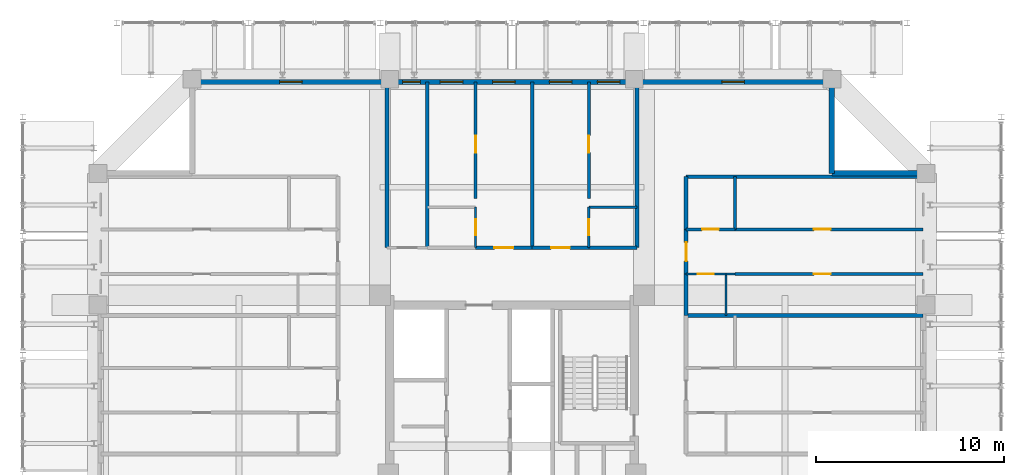
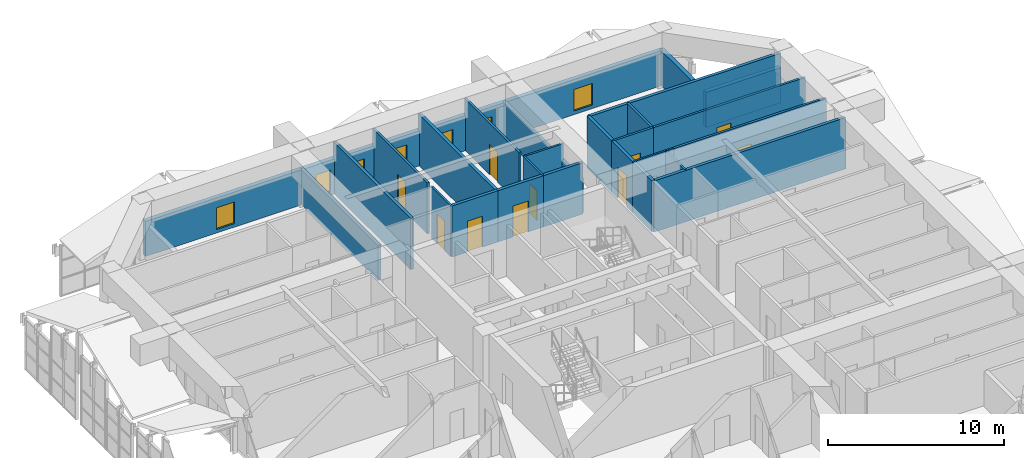
# One storey, part 42 of 45: 27 walls, 11 doors, 7 windows, 18 openings.
"""IFC4 building model written with IfcOpenShell, lengths in metres."""

import ifcopenshell
import ifcopenshell.guid

model = None  # the IFC model being written
_history = None  # IfcOwnerHistory: only IFC2X3 demands one
_inside = {}  # id of a spatial element -> (the spatial element, [elements in it])
_under = {}  # id of a project, library or spatial element -> (it, [spatial elements below it])
_declared = {}  # id of a project -> (the project, [libraries it declares])
_typed = {}  # id of a type object -> (the type object, [elements of that type])
_made_of = {}  # id of a material, layer set ... -> (it, [elements and type objects made of it])


def new_model(schema):
    """Start an empty IFC model of exactly this schema.

    Asked for "IFC4X3", IfcOpenShell would pick the latest addendum, in which some entities
    have other attributes; the version numbers below select the first issue.
    IFC2X3 requires an IfcOwnerHistory on every rooted entity: one is made here for all.
    """
    global model, _history
    if schema == "IFC4X3":
        model = ifcopenshell.file(schema_version=(4, 3, 0, 0))
    else:
        model = ifcopenshell.file(schema=schema)
    _inside.clear()
    _under.clear()
    _declared.clear()
    _typed.clear()
    _made_of.clear()
    _history = None
    if model.schema == "IFC2X3":
        org = make("IfcOrganization", Name="unknown")
        user = make(
            "IfcPersonAndOrganization",
            ThePerson=make("IfcPerson", FamilyName="unknown"),
            TheOrganization=org,
        )
        app = make(
            "IfcApplication",
            ApplicationDeveloper=org,
            Version="unknown",
            ApplicationFullName="unknown",
            ApplicationIdentifier="unknown",
        )
        _history = make(
            "IfcOwnerHistory",
            OwningUser=user,
            OwningApplication=app,
            ChangeAction="ADDED",
            CreationDate=0,
        )
    return model


def make(cls, **values):
    """One entity of the class cls with the attributes given. An attribute that is None is left unset."""
    return model.create_entity(
        cls, **{name: value for name, value in values.items() if value is not None}
    )


def rooted(cls, **values):
    """An entity with a GlobalId (a new one), such as an element, a storey or a relation."""
    return make(cls, GlobalId=ifcopenshell.guid.new(), OwnerHistory=_history, **values)


def si_unit(unit_type, name, prefix=None):
    """IfcSIUnit, for example si_unit("LENGTHUNIT", "METRE", prefix="MILLI")."""
    return make("IfcSIUnit", UnitType=unit_type, Prefix=prefix, Name=name)


def assignment(units):
    """IfcUnitAssignment: the units of a project."""
    return None if units is None else make("IfcUnitAssignment", Units=units)


def point(xyz):
    """IfcCartesianPoint."""
    return None if xyz is None else make("IfcCartesianPoint", Coordinates=xyz)


def direction(xyz):
    """IfcDirection."""
    return None if xyz is None else make("IfcDirection", DirectionRatios=xyz)


def frame(location, z_axis=None, x_axis=None):
    """IfcAxis2Placement3D, a coordinate frame: its origin and axes. An axis left out is left unset."""
    return make(
        "IfcAxis2Placement3D",
        Location=point(location),
        Axis=direction(z_axis),
        RefDirection=direction(x_axis),
    )


def frame_2d(location, x_axis=None):
    """IfcAxis2Placement2D, a coordinate frame in the plane: its origin and x axis."""
    return make(
        "IfcAxis2Placement2D", Location=point(location), RefDirection=direction(x_axis)
    )


def origin():
    """The frame at (0, 0, 0) with its axes left unset."""
    return frame((0.0, 0.0, 0.0))


def place(relative_to, where):
    """IfcLocalPlacement: puts the frame where relative to a parent placement (None: the world)."""
    return make(
        "IfcLocalPlacement", PlacementRelTo=relative_to, RelativePlacement=where
    )


def context(
    kind, dimensions, precision=None, world=None, true_north=None, identifier=None
):
    """IfcGeometricRepresentationContext, for example the 3D "Model" context."""
    return make(
        "IfcGeometricRepresentationContext",
        ContextIdentifier=identifier,
        ContextType=kind,
        CoordinateSpaceDimension=dimensions,
        Precision=precision,
        WorldCoordinateSystem=world,
        TrueNorth=true_north,
    )


def subcontext(parent, identifier, kind, view, scale=None):
    """IfcGeometricRepresentationSubContext, for example "Body" below "Model"."""
    return make(
        "IfcGeometricRepresentationSubContext",
        ContextIdentifier=identifier,
        ContextType=kind,
        ParentContext=parent,
        TargetScale=scale,
        TargetView=view,
    )


def project(units=None, contexts=None):
    """IfcProject with its units and contexts."""
    return rooted(
        "IfcProject",
        Name="project",
        RepresentationContexts=contexts,
        UnitsInContext=assignment(units),
    )


def spatial(cls, under=None, at=None, **own):
    """A site, building, storey or space (cls), placed at a placement, below another one or the project."""
    s = rooted(cls, ObjectPlacement=at, **own)
    if under is not None:
        _under.setdefault(under.id(), (under, []))[1].append(s)
    return s


def profile(cls, at=None, kind="AREA", **sizes):
    """A parametric profile (cls). Its sizes go by their IFC names, for example OverallWidth=200.0."""
    return make(cls, ProfileType=kind, Position=at, **sizes)


def rectangle(**sizes):
    """IfcRectangleProfileDef."""
    return profile("IfcRectangleProfileDef", **sizes)


def extrude(swept, where, along, depth):
    """IfcExtrudedAreaSolid: the profile swept, set in the frame where, extruded along a direction by depth."""
    return make(
        "IfcExtrudedAreaSolid",
        SweptArea=swept,
        Position=where,
        ExtrudedDirection=direction(along),
        Depth=depth,
    )


def shape(context_of_items, identifier, shape_type, items):
    """IfcShapeRepresentation: the items that make up one representation, for example the "Body"."""
    return make(
        "IfcShapeRepresentation",
        ContextOfItems=context_of_items,
        RepresentationIdentifier=identifier,
        RepresentationType=shape_type,
        Items=items,
    )


def source(mapping_origin, context_of_items, identifier, shape_type, items):
    """IfcRepresentationMap: a shape defined once, which mapped items show again and again."""
    return make(
        "IfcRepresentationMap",
        MappingOrigin=mapping_origin,
        MappedRepresentation=shape(context_of_items, identifier, shape_type, items),
    )


def transform(
    local_origin,
    x_axis=None,
    y_axis=None,
    z_axis=None,
    scale=None,
    scale2=None,
    scale3=None,
    uniform=True,
):
    """IfcCartesianTransformationOperator3D, or its non-uniform kind. x_axis, y_axis, z_axis: its Axis1, 2, 3."""
    if uniform:
        return make(
            "IfcCartesianTransformationOperator3D",
            Axis1=direction(x_axis),
            Axis2=direction(y_axis),
            LocalOrigin=point(local_origin),
            Scale=scale,
            Axis3=direction(z_axis),
        )
    return make(
        "IfcCartesianTransformationOperator3DnonUniform",
        Axis1=direction(x_axis),
        Axis2=direction(y_axis),
        LocalOrigin=point(local_origin),
        Scale=scale,
        Axis3=direction(z_axis),
        Scale2=scale2,
        Scale3=scale3,
    )


def mapped(mapping_source, mapping_target):
    """IfcMappedItem: shows the shape of a source again, moved by a transform."""
    return make(
        "IfcMappedItem", MappingSource=mapping_source, MappingTarget=mapping_target
    )


def material(Name=None, Category=None):
    """IfcMaterial."""
    return make("IfcMaterial", Name=Name, Category=Category)


def layer(
    of_material, thickness, ventilated=None, Name=None, Category=None, Priority=None
):
    """IfcMaterialLayer: one layer of a wall or slab, of a material (None: an air gap)."""
    return make(
        "IfcMaterialLayer",
        Material=of_material,
        LayerThickness=thickness,
        IsVentilated=ventilated,
        Name=Name,
        Category=Category,
        Priority=Priority,
    )


def layer_set(layers, Name=None):
    """IfcMaterialLayerSet."""
    return make("IfcMaterialLayerSet", MaterialLayers=layers, LayerSetName=Name)


def made_of(thing, what):
    """Note that an element or type object is made of a material, layer set ...; save() writes the relation."""
    if what is not None:
        _made_of.setdefault(what.id(), (what, []))[1].append(thing)
    return thing


def type_object(cls, material=None, **own):
    """A type object (cls), such as IfcWallType, which elements share."""
    return made_of(rooted(cls, **own), material)


def element(
    cls,
    number,
    at=None,
    inside=None,
    cuts=None,
    type_object=None,
    material=None,
    context=None,
    identifier="Body",
    shape_type=None,
    held_by="IfcProductDefinitionShape",
    body=None,
    shapes=None,
    **own,
):
    """One element of the class cls, such as IfcWall. Its Tag is "e" and its number.

    at: its placement. inside: the storey or other place that contains it. cuts: it is an
    opening in that element (IfcRelVoidsElement). A single representation is given by context,
    identifier, shape_type and body (its items); several are given by shapes. held_by: the class
    of the entity that holds the representations. save() writes the other relations.
    """
    e = rooted(cls, Tag="e%d" % number, ObjectPlacement=at, **own)
    if body is not None:
        shapes = [shape(context, identifier, shape_type, body)]
    if shapes is not None:
        e.Representation = make(held_by, Representations=shapes)
    if inside is not None:
        _inside.setdefault(inside.id(), (inside, []))[1].append(e)
    if cuts is not None:
        rooted(
            "IfcRelVoidsElement", RelatingBuildingElement=cuts, RelatedOpeningElement=e
        )
    if type_object is not None:
        _typed.setdefault(type_object.id(), (type_object, []))[1].append(e)
    return made_of(e, material)


def fill(opening, filler):
    """IfcRelFillsElement: the door or window that sits in an opening."""
    return rooted(
        "IfcRelFillsElement",
        RelatingOpeningElement=opening,
        RelatedBuildingElement=filler,
    )


def aggregate(whole, parts):
    """IfcRelAggregates: a whole, such as a stair, and the parts it consists of."""
    return rooted("IfcRelAggregates", RelatingObject=whole, RelatedObjects=parts)


def save(model, path):
    """Write the relations noted so far, then the file.

    IfcRelAggregates (storeys below a building ...), IfcRelContainedInSpatialStructure (elements
    in a storey), IfcRelDefinesByType, IfcRelAssociatesMaterial and IfcRelDeclares: one each for
    every whole, place, type object, material and project.
    """
    for whole, parts in _under.values():
        aggregate(whole, parts)
    for where, things in _inside.values():
        rooted(
            "IfcRelContainedInSpatialStructure",
            RelatedElements=things,
            RelatingStructure=where,
        )
    for kind, things in _typed.values():
        rooted("IfcRelDefinesByType", RelatedObjects=things, RelatingType=kind)
    for what, things in _made_of.values():
        rooted("IfcRelAssociatesMaterial", RelatedObjects=things, RelatingMaterial=what)
    for by, libraries in _declared.values():
        rooted("IfcRelDeclares", RelatingContext=by, RelatedDefinitions=libraries)
    model.write(path)


model = new_model("IFC4")

# Units and contexts
model_context = context("Model", 3, precision=1e-05, world=origin(), true_north=direction((0.0, 1.0)))
body_context = subcontext(model_context, "Body", "Model", "MODEL_VIEW")
ifc_project = project(units=[si_unit("LENGTHUNIT", "METRE"), si_unit("AREAUNIT", "SQUARE_METRE"), si_unit("VOLUMEUNIT", "CUBIC_METRE"), si_unit("PLANEANGLEUNIT", "RADIAN"), si_unit("MASSUNIT", "GRAM", prefix="KILO")], contexts=[model_context])

# Site, building, storey
site_placement = place(None, origin())
site = spatial("IfcSite", under=ifc_project, at=site_placement, CompositionType="ELEMENT")
building_placement = place(site_placement, origin())
building = spatial("IfcBuilding", under=site, at=building_placement, Name="Saelheon Loggia Tower", CompositionType="ELEMENT")
storey_placement = place(building_placement, frame((0.0, 0.0, 152.199951171875)))
storey = spatial("IfcBuildingStorey", under=building, at=storey_placement, Name="L48", CompositionType="ELEMENT", Elevation=152.199951171875)

# Wall, openings, windows
ifc_material_1 = material(Name="Architectural Precast Concrete C40/50", Category="concrete")
ifc_layer_1 = layer(ifc_material_1, 0.280029296875)
ifc_layer_set_1 = layer_set([ifc_layer_1], Name="Architectural Precast Concrete C40/50")
wall_type_1 = type_object("IfcWallType", Name="Wall_Ext_Loggia_280", PredefinedType="SOLIDWALL", material=ifc_layer_set_1)
wall_1_placement = place(storey_placement, frame((21.0, 47.860107421875, 0.0), z_axis=(0.0, 0.0, 1.0), x_axis=(1.0, 0.0, 0.0)))
wall_1 = element("IfcWall", 1, at=wall_1_placement, inside=storey, type_object=wall_type_1, Name="L48 North Loggia Inner Wall", PredefinedType="SOLIDWALL", context=body_context, shape_type="SweptSolid", body=[
    extrude(rectangle(XDim=34.0, YDim=0.280029296875, at=frame_2d((17.0, 0.0))), origin(), (0.0, 0.0, 1.0), 2.43994140625),
])
opening_1_placement = place(wall_1_placement, frame((4.64990234375, 0.0, 0.25)))
opening_1 = element("IfcOpeningElement", 2, at=opening_1_placement, cuts=wall_1, Name="Opening WN-03", PredefinedType="OPENING", context=body_context, shape_type="SweptSolid", body=[
    extrude(rectangle(XDim=1.199951171875, YDim=1.5, at=frame_2d((0.60009765625, 0.75))), frame((0.0, 0.152099609375, 0.0), z_axis=(0.0, -1.0, 0.0), x_axis=(1.0, 0.0, 0.0)), (0.0, 0.0, 1.0), 0.303955078125),
])
opening_2_placement = place(wall_1_placement, frame((11.1826171875, 0.0, 0.25)))
opening_2 = element("IfcOpeningElement", 3, at=opening_2_placement, cuts=wall_1, Name="Opening WN-04", PredefinedType="OPENING", context=body_context, shape_type="SweptSolid", body=[
    extrude(rectangle(XDim=0.949951171875, YDim=1.5, at=frame_2d((0.47509765625, 0.75))), frame((0.0, 0.152099609375, 0.0), z_axis=(0.0, -1.0, 0.0), x_axis=(1.0, 0.0, 0.0)), (0.0, 0.0, 1.0), 0.303955078125),
])
opening_3_placement = place(wall_1_placement, frame((13.182373046875, 0.0, 0.25)))
opening_3 = element("IfcOpeningElement", 4, at=opening_3_placement, cuts=wall_1, Name="Opening WN-03", PredefinedType="OPENING", context=body_context, shape_type="SweptSolid", body=[
    extrude(rectangle(XDim=1.199951171875, YDim=1.5, at=frame_2d((0.60009765625, 0.75))), frame((0.0, 0.152099609375, 0.0), z_axis=(0.0, -1.0, 0.0), x_axis=(1.0, 0.0, 0.0)), (0.0, 0.0, 1.0), 0.303955078125),
])
opening_4_placement = place(wall_1_placement, frame((15.9697265625, 0.0, 0.25)))
opening_4 = element("IfcOpeningElement", 5, at=opening_4_placement, cuts=wall_1, Name="Opening WN-03", PredefinedType="OPENING", context=body_context, shape_type="SweptSolid", body=[
    extrude(rectangle(XDim=1.199951171875, YDim=1.5, at=frame_2d((0.60009765625, 0.75))), frame((0.0, 0.152099609375, 0.0), z_axis=(0.0, -1.0, 0.0), x_axis=(1.0, 0.0, 0.0)), (0.0, 0.0, 1.0), 0.303955078125),
])
opening_5_placement = place(wall_1_placement, frame((18.980224609375, 0.0, 0.25)))
opening_5 = element("IfcOpeningElement", 6, at=opening_5_placement, cuts=wall_1, Name="Opening WN-03", PredefinedType="OPENING", context=body_context, shape_type="SweptSolid", body=[
    extrude(rectangle(XDim=1.199951171875, YDim=1.5, at=frame_2d((0.60009765625, 0.75))), frame((0.0, 0.152099609375, 0.0), z_axis=(0.0, -1.0, 0.0), x_axis=(1.0, 0.0, 0.0)), (0.0, 0.0, 1.0), 0.303955078125),
])
opening_6_placement = place(wall_1_placement, frame((21.535400390625, 0.0, 0.25)))
opening_6 = element("IfcOpeningElement", 7, at=opening_6_placement, cuts=wall_1, Name="Opening WN-03", PredefinedType="OPENING", context=body_context, shape_type="SweptSolid", body=[
    extrude(rectangle(XDim=1.199951171875, YDim=1.5, at=frame_2d((0.60009765625, 0.75))), frame((0.0, 0.152099609375, 0.0), z_axis=(0.0, -1.0, 0.0), x_axis=(1.0, 0.0, 0.0)), (0.0, 0.0, 1.0), 0.303955078125),
])
opening_7_placement = place(wall_1_placement, frame((28.14990234375, 0.0, 0.25)))
opening_7 = element("IfcOpeningElement", 8, at=opening_7_placement, cuts=wall_1, Name="Opening WN-03", PredefinedType="OPENING", context=body_context, shape_type="SweptSolid", body=[
    extrude(rectangle(XDim=1.199951171875, YDim=1.5, at=frame_2d((0.60009765625, 0.75))), frame((0.0, 0.152099609375, 0.0), z_axis=(0.0, -1.0, 0.0), x_axis=(1.0, 0.0, 0.0)), (0.0, 0.0, 1.0), 0.303955078125),
])
ifc_material_2 = material(Name="Thermal-Break Aluminium and Triple Low-E Glass", Category="aluminium")
window_type_1 = type_object("IfcWindowType", Name="Win_Bedroom_1200x1500", PartitioningType="SINGLE_PANEL", PredefinedType="WINDOW", material=ifc_material_2)
shared_shape_1 = source(origin(), body_context, "Body", "SweptSolid", [
    extrude(rectangle(XDim=1.199951171875, YDim=1.5, at=frame_2d((0.60009765625, 0.75))), frame((0.0, 0.030029296875, 0.0), z_axis=(0.0, -1.0, 0.0), x_axis=(1.0, 0.0, 0.0)), (0.0, 0.0, 1.0), 0.06005859375),
])
window_1_placement = place(opening_1_placement, origin())
window_1 = element("IfcWindow", 9, at=window_1_placement, inside=storey, type_object=window_type_1, Name="L48 N Dwelling Window 1", OverallHeight=1.5, OverallWidth=1.199951171875, PartitioningType="SINGLE_PANEL", PredefinedType="WINDOW", context=body_context, shape_type="MappedRepresentation", body=[
    mapped(shared_shape_1, transform((0.0, 0.0, 0.0), scale=1.0)),
])
fill(opening_1, window_1)
window_2_placement = place(opening_3_placement, origin())
window_2 = element("IfcWindow", 10, at=window_2_placement, inside=storey, type_object=window_type_1, Name="L48 N Dwelling Window 3", OverallHeight=1.5, OverallWidth=1.199951171875, PartitioningType="SINGLE_PANEL", PredefinedType="WINDOW", context=body_context, shape_type="MappedRepresentation", body=[
    mapped(shared_shape_1, transform((0.0, 0.0, 0.0), scale=1.0)),
])
fill(opening_3, window_2)
window_3_placement = place(opening_4_placement, origin())
window_3 = element("IfcWindow", 11, at=window_3_placement, inside=storey, type_object=window_type_1, Name="L48 N Dwelling Window 4", OverallHeight=1.5, OverallWidth=1.199951171875, PartitioningType="SINGLE_PANEL", PredefinedType="WINDOW", context=body_context, shape_type="MappedRepresentation", body=[
    mapped(shared_shape_1, transform((0.0, 0.0, 0.0), scale=1.0)),
])
fill(opening_4, window_3)
window_4_placement = place(opening_5_placement, origin())
window_4 = element("IfcWindow", 12, at=window_4_placement, inside=storey, type_object=window_type_1, Name="L48 N Dwelling Window 5", OverallHeight=1.5, OverallWidth=1.199951171875, PartitioningType="SINGLE_PANEL", PredefinedType="WINDOW", context=body_context, shape_type="MappedRepresentation", body=[
    mapped(shared_shape_1, transform((0.0, 0.0, 0.0), scale=1.0)),
])
fill(opening_5, window_4)
window_5_placement = place(opening_6_placement, origin())
window_5 = element("IfcWindow", 13, at=window_5_placement, inside=storey, type_object=window_type_1, Name="L48 N Dwelling Window 6", OverallHeight=1.5, OverallWidth=1.199951171875, PartitioningType="SINGLE_PANEL", PredefinedType="WINDOW", context=body_context, shape_type="MappedRepresentation", body=[
    mapped(shared_shape_1, transform((0.0, 0.0, 0.0), scale=1.0)),
])
fill(opening_6, window_5)
window_6_placement = place(opening_7_placement, origin())
window_6 = element("IfcWindow", 14, at=window_6_placement, inside=storey, type_object=window_type_1, Name="L48 N Dwelling Window 7", OverallHeight=1.5, OverallWidth=1.199951171875, PartitioningType="SINGLE_PANEL", PredefinedType="WINDOW", context=body_context, shape_type="MappedRepresentation", body=[
    mapped(shared_shape_1, transform((0.0, 0.0, 0.0), scale=1.0)),
])
fill(opening_7, window_6)
window_type_2 = type_object("IfcWindowType", Name="Win_Narrow_950x1500", PartitioningType="SINGLE_PANEL", PredefinedType="WINDOW", material=ifc_material_2)
shared_shape_2 = source(origin(), body_context, "Body", "SweptSolid", [
    extrude(rectangle(XDim=0.949951171875, YDim=1.5, at=frame_2d((0.47509765625, 0.75))), frame((0.0, 0.030029296875, 0.0), z_axis=(0.0, -1.0, 0.0), x_axis=(1.0, 0.0, 0.0)), (0.0, 0.0, 1.0), 0.06005859375),
])
window_7_placement = place(opening_2_placement, origin())
window_7 = element("IfcWindow", 15, at=window_7_placement, inside=storey, type_object=window_type_2, Name="L48 N Dwelling Window 2", OverallHeight=1.5, OverallWidth=0.949951171875, PartitioningType="SINGLE_PANEL", PredefinedType="WINDOW", context=body_context, shape_type="MappedRepresentation", body=[
    mapped(shared_shape_2, transform((0.0, 0.0, 0.0), scale=1.0)),
])
fill(opening_2, window_7)

# Walls
for number, where, z_axis, x_axis, name in (
    (16, (55.0, 43.0, 0.0), (0.0, 0.0, 1.0), (0.0, 1.0, 0.0), "L48 Corner Notch Precast Wall NE1"),
    (17, (55.0, 43.0, 0.0), (0.0, 0.0, 1.0), (1.0, 0.0, 0.0), "L48 Corner Notch Precast Wall NE2"),
):
    element("IfcWall", number, at=place(storey_placement, frame(where, z_axis=z_axis, x_axis=x_axis)), inside=storey, type_object=wall_type_1, Name=name, PredefinedType="SOLIDWALL", context=body_context, shape_type="SweptSolid", body=[
        extrude(rectangle(XDim=4.919921875, YDim=0.280029296875, at=frame_2d((2.4599609375, 0.0))), origin(), (0.0, 0.0, 1.0), 2.43994140625),
    ])

# Wall, opening, door
ifc_material_3 = material(Name="Lightweight Autoclaved Aerated Concrete Block and Acoustic Gypsum", Category="concrete")
ifc_layer_2 = layer(ifc_material_3, 0.14990234375)
ifc_layer_set_2 = layer_set([ifc_layer_2], Name="Lightweight Autoclaved Aerated Concrete Block and Acoustic Gypsum")
wall_type_2 = type_object("IfcWallType", Name="Wall_Part_150", PredefinedType="PARTITIONING", material=ifc_layer_set_2)
wall_2_placement = place(storey_placement, frame((36.064453125, 41.64990234375, 0.0), z_axis=(0.0, 0.0, 1.0), x_axis=(0.0, 1.0, 0.0)))
wall_2 = element("IfcWall", 18, at=wall_2_placement, inside=storey, type_object=wall_type_2, Name="L48 N Partition U09", PredefinedType="PARTITIONING", context=body_context, shape_type="SweptSolid", body=[
    extrude(rectangle(XDim=6.2001953125, YDim=0.14990234375, at=frame_2d((3.10009765625, 0.0))), origin(), (0.0, 0.0, 1.0), 3.56005859375),
])
opening_8_placement = place(wall_2_placement, frame((2.44921875, 0.0, 0.0)))
opening_8 = element("IfcOpeningElement", 19, at=opening_8_placement, cuts=wall_2, Name="Opening D-IN2", PredefinedType="OPENING", context=body_context, shape_type="SweptSolid", body=[
    extrude(rectangle(XDim=0.89990234375, YDim=2.10009765625, at=frame_2d((0.449951171875, 1.050048828125))), frame((0.0, 0.0869140625, 0.0), z_axis=(0.0, -1.0, 0.0), x_axis=(1.0, 0.0, 0.0)), (0.0, 0.0, 1.0), 0.173828125),
])
ifc_material_4 = material(Name="Engineered Oak Flush Door", Category="timber")
door_type_1 = type_object("IfcDoorType", Name="Door_Int_900", OperationType="NOTDEFINED", PredefinedType="DOOR", material=ifc_material_4)
shared_shape_3 = source(origin(), body_context, "Body", "SweptSolid", [
    extrude(rectangle(XDim=0.89990234375, YDim=2.10009765625, at=frame_2d((0.449951171875, 1.050048828125))), frame((0.0, 0.02490234375, 0.0), z_axis=(0.0, -1.0, 0.0), x_axis=(1.0, 0.0, 0.0)), (0.0, 0.0, 1.0), 0.050048828125),
])
door_1_placement = place(opening_8_placement, origin())
door_1 = element("IfcDoor", 20, at=door_1_placement, inside=storey, type_object=door_type_1, Name="Unit U03 Kitchen Door", OperationType="SINGLE_SWING_RIGHT", OverallHeight=2.10009765625, OverallWidth=0.89990234375, PredefinedType="DOOR", context=body_context, shape_type="MappedRepresentation", body=[
    mapped(shared_shape_3, transform((0.0, 0.0, 0.0), scale=1.0)),
])
fill(opening_8, door_1)

wall_3_placement = place(storey_placement, frame((42.08544921875, 41.64990234375, 0.0), z_axis=(0.0, 0.0, 1.0), x_axis=(0.0, 1.0, 0.0)))
wall_3 = element("IfcWall", 21, at=wall_3_placement, inside=storey, type_object=wall_type_2, Name="L48 N Partition U15", PredefinedType="PARTITIONING", context=body_context, shape_type="SweptSolid", body=[
    extrude(rectangle(XDim=6.2001953125, YDim=0.14990234375, at=frame_2d((3.10009765625, 0.0))), origin(), (0.0, 0.0, 1.0), 3.56005859375),
])
opening_9_placement = place(wall_3_placement, frame((2.44921875, 0.0, 0.0)))
opening_9 = element("IfcOpeningElement", 22, at=opening_9_placement, cuts=wall_3, Name="Opening D-IN2", PredefinedType="OPENING", context=body_context, shape_type="SweptSolid", body=[
    extrude(rectangle(XDim=0.89990234375, YDim=2.10009765625, at=frame_2d((0.449951171875, 1.050048828125))), frame((0.0, 0.0869140625, 0.0), z_axis=(0.0, -1.0, 0.0), x_axis=(1.0, 0.0, 0.0)), (0.0, 0.0, 1.0), 0.173828125),
])
door_2_placement = place(opening_9_placement, origin())
door_2 = element("IfcDoor", 23, at=door_2_placement, inside=storey, type_object=door_type_1, Name="Unit U04 Kitchen Door", OperationType="SINGLE_SWING_LEFT", OverallHeight=2.10009765625, OverallWidth=0.89990234375, PredefinedType="DOOR", context=body_context, shape_type="MappedRepresentation", body=[
    mapped(shared_shape_3, transform((0.0, 0.0, 0.0), scale=1.0)),
])
fill(opening_9, door_2)

# Wall
wall_4_placement = place(storey_placement, frame((49.85009765625, 40.019287109375, 0.0), z_axis=(0.0, 0.0, 1.0), x_axis=(0.0, 1.0, 0.0)))
element("IfcWall", 24, at=wall_4_placement, inside=storey, type_object=wall_type_2, Name="L48 EN Partition V18", PredefinedType="PARTITIONING", context=body_context, shape_type="SweptSolid", body=[
    extrude(rectangle(XDim=2.80078125, YDim=0.14990234375, at=frame_2d((1.400390625, 0.0))), origin(), (0.0, 0.0, 1.0), 3.56005859375),
])

# Wall, opening, door
wall_5_placement = place(storey_placement, frame((49.85009765625, 37.64990234375, 0.0), z_axis=(0.0, 0.0, 1.0), x_axis=(1.0, 0.0, 0.0)))
wall_5 = element("IfcWall", 25, at=wall_5_placement, inside=storey, type_object=wall_type_2, Name="L48 EN Partition U21", PredefinedType="PARTITIONING", context=body_context, shape_type="SweptSolid", body=[
    extrude(rectangle(XDim=10.0, YDim=0.14990234375, at=frame_2d((5.0, 0.0))), origin(), (0.0, 0.0, 1.0), 3.56005859375),
])
opening_10_placement = place(wall_5_placement, frame((4.19091796875, 0.0, 0.0)))
opening_10 = element("IfcOpeningElement", 26, at=opening_10_placement, cuts=wall_5, Name="Opening D-IN2", PredefinedType="OPENING", context=body_context, shape_type="SweptSolid", body=[
    extrude(rectangle(XDim=0.89990234375, YDim=2.10009765625, at=frame_2d((0.449951171875, 1.050048828125))), frame((0.0, 0.0869140625, 0.0), z_axis=(0.0, -1.0, 0.0), x_axis=(1.0, 0.0, 0.0)), (0.0, 0.0, 1.0), 0.173828125),
])
door_3_placement = place(opening_10_placement, origin())
door_3 = element("IfcDoor", 27, at=door_3_placement, inside=storey, type_object=door_type_1, Name="Unit U12 Kitchen Door", OperationType="SINGLE_SWING_LEFT", OverallHeight=2.10009765625, OverallWidth=0.89990234375, PredefinedType="DOOR", context=body_context, shape_type="MappedRepresentation", body=[
    mapped(shared_shape_3, transform((0.0, 0.0, 0.0), scale=1.0)),
])
fill(opening_10, door_3)

wall_6_placement = place(storey_placement, frame((47.25, 40.019287109375, 0.0), z_axis=(0.0, 0.0, 1.0), x_axis=(1.0, 0.0, 0.0)))
wall_6 = element("IfcWall", 28, at=wall_6_placement, inside=storey, type_object=wall_type_2, Name="L48 EN Partition U22", PredefinedType="PARTITIONING", context=body_context, shape_type="SweptSolid", body=[
    extrude(rectangle(XDim=2.60009765625, YDim=0.14990234375, at=frame_2d((1.300048828125, 0.0))), origin(), (0.0, 0.0, 1.0), 3.56005859375),
])
opening_11_placement = place(wall_6_placement, frame((0.85009765625, 0.0, 0.0)))
opening_11 = element("IfcOpeningElement", 29, at=opening_11_placement, cuts=wall_6, Name="Opening D-IN2", PredefinedType="OPENING", context=body_context, shape_type="SweptSolid", body=[
    extrude(rectangle(XDim=0.89990234375, YDim=2.10009765625, at=frame_2d((0.449951171875, 1.050048828125))), frame((0.0, 0.0869140625, 0.0), z_axis=(0.0, -1.0, 0.0), x_axis=(1.0, 0.0, 0.0)), (0.0, 0.0, 1.0), 0.173828125),
])
door_4_placement = place(opening_11_placement, origin())
door_4 = element("IfcDoor", 30, at=door_4_placement, inside=storey, type_object=door_type_1, Name="Unit U12 Dressing Closet Door", OperationType="SINGLE_SWING_RIGHT", OverallHeight=2.10009765625, OverallWidth=0.89990234375, PredefinedType="DOOR", context=body_context, shape_type="MappedRepresentation", body=[
    mapped(shared_shape_3, transform((0.0, 0.0, 0.0), scale=1.0)),
])
fill(opening_11, door_4)

wall_7_placement = place(storey_placement, frame((49.85009765625, 40.019287109375, 0.0), z_axis=(0.0, 0.0, 1.0), x_axis=(1.0, 0.0, 0.0)))
wall_7 = element("IfcWall", 31, at=wall_7_placement, inside=storey, type_object=wall_type_2, Name="L48 EN Partition U23", PredefinedType="PARTITIONING", context=body_context, shape_type="SweptSolid", body=[
    extrude(rectangle(XDim=10.0, YDim=0.14990234375, at=frame_2d((5.0, 0.0))), origin(), (0.0, 0.0, 1.0), 3.56005859375),
])
opening_12_placement = place(wall_7_placement, frame((4.19091796875, 0.0, 0.0)))
opening_12 = element("IfcOpeningElement", 32, at=opening_12_placement, cuts=wall_7, Name="Opening D-IN2", PredefinedType="OPENING", context=body_context, shape_type="SweptSolid", body=[
    extrude(rectangle(XDim=0.89990234375, YDim=2.10009765625, at=frame_2d((0.449951171875, 1.050048828125))), frame((0.0, 0.0869140625, 0.0), z_axis=(0.0, -1.0, 0.0), x_axis=(1.0, 0.0, 0.0)), (0.0, 0.0, 1.0), 0.173828125),
])
door_5_placement = place(opening_12_placement, origin())
door_5 = element("IfcDoor", 33, at=door_5_placement, inside=storey, type_object=door_type_1, Name="Unit U12 Bedroom 1 Door", OperationType="SINGLE_SWING_LEFT", OverallHeight=2.10009765625, OverallWidth=0.89990234375, PredefinedType="DOOR", context=body_context, shape_type="MappedRepresentation", body=[
    mapped(shared_shape_3, transform((0.0, 0.0, 0.0), scale=1.0)),
])
fill(opening_12, door_5)

# Walls
ifc_material_5 = material(Name="Double Acoustic Stud and Fireboard Partition", Category="gypsum")
ifc_layer_3 = layer(ifc_material_5, 0.199951171875)
ifc_layer_set_3 = layer_set([ifc_layer_3], Name="Double Acoustic Stud and Fireboard Partition")
wall_type_3 = type_object("IfcWallType", Name="Wall_Party_200", PredefinedType="PARTITIONING", material=ifc_layer_set_3)
for number, where, z_axis, x_axis, name in (
    (34, (31.35009765625, 39.050048828125, 0.0), (0.0, 0.0, 1.0), (0.0, 1.0, 0.0), "L48 N Partition U01"),
    (35, (44.64990234375, 39.050048828125, 0.0), (0.0, 0.0, 1.0), (0.0, 1.0, 0.0), "L48 N Partition U02"),
):
    element("IfcWall", number, at=place(storey_placement, frame(where, z_axis=z_axis, x_axis=x_axis)), inside=storey, type_object=wall_type_3, Name=name, PredefinedType="PARTITIONING", context=body_context, shape_type="SweptSolid", body=[
        extrude(rectangle(XDim=8.800048828125, YDim=0.199951171875, at=frame_2d((4.39990234375, 0.0))), origin(), (0.0, 0.0, 1.0), 2.43994140625),
    ])
wall_8_placement = place(storey_placement, frame((33.5, 39.050048828125, 0.0), z_axis=(0.0, 0.0, 1.0), x_axis=(0.0, 1.0, 0.0)))
element("IfcWall", 36, at=wall_8_placement, inside=storey, type_object=wall_type_3, Name="L48 N Partition U03", PredefinedType="PARTITIONING", context=body_context, shape_type="SweptSolid", body=[
    extrude(rectangle(XDim=8.800048828125, YDim=0.199951171875, at=frame_2d((4.39990234375, 0.0))), origin(), (0.0, 0.0, 1.0), 3.56005859375),
])

# Wall, opening, door
wall_9_placement = place(storey_placement, frame((36.064453125, 39.050048828125, 0.0), z_axis=(0.0, 0.0, 1.0), x_axis=(1.0, 0.0, 0.0)))
wall_9 = element("IfcWall", 37, at=wall_9_placement, inside=storey, type_object=wall_type_3, Name="L48 N Partition V06", PredefinedType="PARTITIONING", context=body_context, shape_type="SweptSolid", body=[
    extrude(rectangle(XDim=3.010498046875, YDim=0.199951171875, at=frame_2d((1.50537109375, 0.0))), origin(), (0.0, 0.0, 1.0), 3.56005859375),
])
opening_13_placement = place(wall_9_placement, frame((1.00537109375, 0.0, 0.0)))
opening_13 = element("IfcOpeningElement", 38, at=opening_13_placement, cuts=wall_9, Name="Opening D-FD1", PredefinedType="OPENING", context=body_context, shape_type="SweptSolid", body=[
    extrude(rectangle(XDim=1.0, YDim=2.14990234375, at=frame_2d((0.5, 1.074951171875))), frame((0.0, 0.112060546875, 0.0), z_axis=(0.0, -1.0, 0.0), x_axis=(1.0, 0.0, 0.0)), (0.0, 0.0, 1.0), 0.223876953125),
])
ifc_material_6 = material(Name="Fire-Rated Engineered Timber Entrance Door", Category="wood")
door_type_2 = type_object("IfcDoorType", Name="Door_Flat_FD30S", OperationType="NOTDEFINED", PredefinedType="DOOR", material=ifc_material_6)
shared_shape_4 = source(origin(), body_context, "Body", "SweptSolid", [
    extrude(rectangle(XDim=1.0, YDim=2.14990234375, at=frame_2d((0.5, 1.074951171875))), frame((0.0, 0.02490234375, 0.0), z_axis=(0.0, -1.0, 0.0), x_axis=(1.0, 0.0, 0.0)), (0.0, 0.0, 1.0), 0.050048828125),
])
door_6_placement = place(opening_13_placement, origin())
door_6 = element("IfcDoor", 39, at=door_6_placement, inside=storey, type_object=door_type_2, Name="Unit U03 Entrance Door", OperationType="SINGLE_SWING_RIGHT", OverallHeight=2.14990234375, OverallWidth=1.0, PredefinedType="DOOR", context=body_context, shape_type="MappedRepresentation", body=[
    mapped(shared_shape_4, transform((0.0, 0.0, 0.0), scale=1.0)),
])
fill(opening_13, door_6)

# Wall
wall_10_placement = place(storey_placement, frame((39.074951171875, 39.050048828125, 0.0), z_axis=(0.0, 0.0, 1.0), x_axis=(0.0, 1.0, 0.0)))
element("IfcWall", 40, at=wall_10_placement, inside=storey, type_object=wall_type_3, Name="L48 N Partition U10", PredefinedType="PARTITIONING", context=body_context, shape_type="SweptSolid", body=[
    extrude(rectangle(XDim=8.800048828125, YDim=0.199951171875, at=frame_2d((4.39990234375, 0.0))), origin(), (0.0, 0.0, 1.0), 3.56005859375),
])

# Wall, opening, door
wall_11_placement = place(storey_placement, frame((39.074951171875, 39.050048828125, 0.0), z_axis=(0.0, 0.0, 1.0), x_axis=(1.0, 0.0, 0.0)))
wall_11 = element("IfcWall", 41, at=wall_11_placement, inside=storey, type_object=wall_type_3, Name="L48 N Partition V11", PredefinedType="PARTITIONING", context=body_context, shape_type="SweptSolid", body=[
    extrude(rectangle(XDim=3.010498046875, YDim=0.199951171875, at=frame_2d((1.50537109375, 0.0))), origin(), (0.0, 0.0, 1.0), 3.56005859375),
])
opening_14_placement = place(wall_11_placement, frame((1.00537109375, 0.0, 0.0)))
opening_14 = element("IfcOpeningElement", 42, at=opening_14_placement, cuts=wall_11, Name="Opening D-FD1", PredefinedType="OPENING", context=body_context, shape_type="SweptSolid", body=[
    extrude(rectangle(XDim=1.0, YDim=2.14990234375, at=frame_2d((0.5, 1.074951171875))), frame((0.0, 0.112060546875, 0.0), z_axis=(0.0, -1.0, 0.0), x_axis=(1.0, 0.0, 0.0)), (0.0, 0.0, 1.0), 0.223876953125),
])
door_7_placement = place(opening_14_placement, origin())
door_7 = element("IfcDoor", 43, at=door_7_placement, inside=storey, type_object=door_type_2, Name="Unit U04 Entrance Door", OperationType="SINGLE_SWING_LEFT", OverallHeight=2.14990234375, OverallWidth=1.0, PredefinedType="DOOR", context=body_context, shape_type="MappedRepresentation", body=[
    mapped(shared_shape_4, transform((0.0, 0.0, 0.0), scale=1.0)),
])
fill(opening_14, door_7)

# Walls
wall_12_placement = place(storey_placement, frame((42.08544921875, 39.050048828125, 0.0), z_axis=(0.0, 0.0, 1.0), x_axis=(1.0, 0.0, 0.0)))
element("IfcWall", 44, at=wall_12_placement, inside=storey, type_object=wall_type_3, Name="L48 N Partition V12", PredefinedType="PARTITIONING", context=body_context, shape_type="SweptSolid", body=[
    extrude(rectangle(XDim=2.564453125, YDim=0.199951171875, at=frame_2d((1.2822265625, 0.0))), origin(), (0.0, 0.0, 1.0), 3.56005859375),
])
for number, where, z_axis, x_axis, name in (
    (45, (47.25, 42.820068359375, 0.0), (0.0, 0.0, 1.0), (1.0, 0.0, 0.0), "L48 EN Partition U02"),
    (46, (47.25, 35.449951171875, 0.0), (0.0, 0.0, 1.0), (1.0, 0.0, 0.0), "L48 EN Partition U13"),
):
    element("IfcWall", number, at=place(storey_placement, frame(where, z_axis=z_axis, x_axis=x_axis)), inside=storey, type_object=wall_type_3, Name=name, PredefinedType="PARTITIONING", context=body_context, shape_type="SweptSolid", body=[
        extrude(rectangle(XDim=12.60009765625, YDim=0.199951171875, at=frame_2d((6.300048828125, 0.0))), origin(), (0.0, 0.0, 1.0), 3.56005859375),
    ])
wall_13_placement = place(storey_placement, frame((47.25, 35.449951171875, 0.0), z_axis=(0.0, 0.0, 1.0), x_axis=(0.0, 1.0, 0.0)))
element("IfcWall", 47, at=wall_13_placement, inside=storey, type_object=wall_type_3, Name="L48 EN Partition V14", PredefinedType="PARTITIONING", context=body_context, shape_type="SweptSolid", body=[
    extrude(rectangle(XDim=2.199951171875, YDim=0.199951171875, at=frame_2d((1.10009765625, 0.0))), origin(), (0.0, 0.0, 1.0), 3.56005859375),
])

# Wall, opening, door
wall_14_placement = place(storey_placement, frame((47.25, 37.64990234375, 0.0), z_axis=(0.0, 0.0, 1.0), x_axis=(0.0, 1.0, 0.0)))
wall_14 = element("IfcWall", 48, at=wall_14_placement, inside=storey, type_object=wall_type_3, Name="L48 EN Partition V15", PredefinedType="PARTITIONING", context=body_context, shape_type="SweptSolid", body=[
    extrude(rectangle(XDim=2.369384765625, YDim=0.199951171875, at=frame_2d((1.1845703125, 0.0))), origin(), (0.0, 0.0, 1.0), 3.56005859375),
])
opening_15_placement = place(wall_14_placement, frame((0.684814453125, 0.0, 0.0)))
opening_15 = element("IfcOpeningElement", 49, at=opening_15_placement, cuts=wall_14, Name="Opening D-FD1", PredefinedType="OPENING", context=body_context, shape_type="SweptSolid", body=[
    extrude(rectangle(XDim=1.0, YDim=2.14990234375, at=frame_2d((0.5, 1.074951171875))), frame((0.0, 0.112060546875, 0.0), z_axis=(0.0, -1.0, 0.0), x_axis=(1.0, 0.0, 0.0)), (0.0, 0.0, 1.0), 0.223876953125),
])
door_8_placement = place(opening_15_placement, origin())
door_8 = element("IfcDoor", 50, at=door_8_placement, inside=storey, type_object=door_type_2, Name="Unit U12 Entrance Door", OperationType="SINGLE_SWING_LEFT", OverallHeight=2.14990234375, OverallWidth=1.0, PredefinedType="DOOR", context=body_context, shape_type="MappedRepresentation", body=[
    mapped(shared_shape_4, transform((0.0, 0.0, 0.0), scale=1.0)),
])
fill(opening_15, door_8)

# Wall
wall_15_placement = place(storey_placement, frame((47.25, 40.019287109375, 0.0), z_axis=(0.0, 0.0, 1.0), x_axis=(0.0, 1.0, 0.0)))
element("IfcWall", 51, at=wall_15_placement, inside=storey, type_object=wall_type_3, Name="L48 EN Partition V16", PredefinedType="PARTITIONING", context=body_context, shape_type="SweptSolid", body=[
    extrude(rectangle(XDim=2.80078125, YDim=0.199951171875, at=frame_2d((1.400390625, 0.0))), origin(), (0.0, 0.0, 1.0), 3.56005859375),
])

# Wall, opening, door
ifc_material_7 = material(Name="Moisture-Resistant Cement Board Partition", Category="gypsum")
ifc_layer_4 = layer(ifc_material_7, 0.1201171875)
ifc_layer_set_4 = layer_set([ifc_layer_4], Name="Moisture-Resistant Cement Board Partition")
wall_type_4 = type_object("IfcWallType", Name="Wall_WetPart_120", PredefinedType="PARTITIONING", material=ifc_layer_set_4)
wall_16_placement = place(storey_placement, frame((36.064453125, 39.050048828125, 0.0), z_axis=(0.0, 0.0, 1.0), x_axis=(0.0, 1.0, 0.0)))
wall_16 = element("IfcWall", 52, at=wall_16_placement, inside=storey, type_object=wall_type_4, Name="L48 N Partition U07", PredefinedType="PARTITIONING", context=body_context, shape_type="SweptSolid", body=[
    extrude(rectangle(XDim=2.14990234375, YDim=0.1201171875, at=frame_2d((1.074951171875, 0.0))), origin(), (0.0, 0.0, 1.0), 3.56005859375),
])
opening_16_placement = place(wall_16_placement, frame((0.64990234375, 0.0, 0.0)))
opening_16 = element("IfcOpeningElement", 53, at=opening_16_placement, cuts=wall_16, Name="Opening D-BT1", PredefinedType="OPENING", context=body_context, shape_type="SweptSolid", body=[
    extrude(rectangle(XDim=0.85009765625, YDim=2.050048828125, at=frame_2d((0.425048828125, 1.02490234375))), frame((0.0, 0.072021484375, 0.0), z_axis=(0.0, -1.0, 0.0), x_axis=(1.0, 0.0, 0.0)), (0.0, 0.0, 1.0), 0.14404296875),
])
ifc_material_8 = material(Name="Moisture-Resistant Laminate Timber Door", Category="wood")
door_type_3 = type_object("IfcDoorType", Name="Door_Bath_850", OperationType="NOTDEFINED", PredefinedType="DOOR", material=ifc_material_8)
shared_shape_5 = source(origin(), body_context, "Body", "SweptSolid", [
    extrude(rectangle(XDim=0.85009765625, YDim=2.050048828125, at=frame_2d((0.425048828125, 1.02490234375))), frame((0.0, 0.02490234375, 0.0), z_axis=(0.0, -1.0, 0.0), x_axis=(1.0, 0.0, 0.0)), (0.0, 0.0, 1.0), 0.050048828125),
])
door_9_placement = place(opening_16_placement, origin())
door_9 = element("IfcDoor", 54, at=door_9_placement, inside=storey, type_object=door_type_3, Name="Unit U03 Bathroom Door", OperationType="SINGLE_SWING_LEFT", OverallHeight=2.050048828125, OverallWidth=0.85009765625, PredefinedType="DOOR", context=body_context, shape_type="MappedRepresentation", body=[
    mapped(shared_shape_5, transform((0.0, 0.0, 0.0), scale=1.0)),
])
fill(opening_16, door_9)

wall_17_placement = place(storey_placement, frame((42.08544921875, 39.050048828125, 0.0), z_axis=(0.0, 0.0, 1.0), x_axis=(0.0, 1.0, 0.0)))
wall_17 = element("IfcWall", 55, at=wall_17_placement, inside=storey, type_object=wall_type_4, Name="L48 N Partition U13", PredefinedType="PARTITIONING", context=body_context, shape_type="SweptSolid", body=[
    extrude(rectangle(XDim=2.14990234375, YDim=0.1201171875, at=frame_2d((1.074951171875, 0.0))), origin(), (0.0, 0.0, 1.0), 3.56005859375),
])
opening_17_placement = place(wall_17_placement, frame((0.64990234375, 0.0, 0.0)))
opening_17 = element("IfcOpeningElement", 56, at=opening_17_placement, cuts=wall_17, Name="Opening D-BT1", PredefinedType="OPENING", context=body_context, shape_type="SweptSolid", body=[
    extrude(rectangle(XDim=0.85009765625, YDim=2.050048828125, at=frame_2d((0.425048828125, 1.02490234375))), frame((0.0, 0.072021484375, 0.0), z_axis=(0.0, -1.0, 0.0), x_axis=(1.0, 0.0, 0.0)), (0.0, 0.0, 1.0), 0.14404296875),
])
door_10_placement = place(opening_17_placement, origin())
door_10 = element("IfcDoor", 57, at=door_10_placement, inside=storey, type_object=door_type_3, Name="Unit U04 Bathroom Door", OperationType="SINGLE_SWING_RIGHT", OverallHeight=2.050048828125, OverallWidth=0.85009765625, PredefinedType="DOOR", context=body_context, shape_type="MappedRepresentation", body=[
    mapped(shared_shape_5, transform((0.0, 0.0, 0.0), scale=1.0)),
])
fill(opening_17, door_10)

# Walls
wall_18_placement = place(storey_placement, frame((42.08544921875, 41.199951171875, 0.0), z_axis=(0.0, 0.0, 1.0), x_axis=(1.0, 0.0, 0.0)))
element("IfcWall", 58, at=wall_18_placement, inside=storey, type_object=wall_type_4, Name="L48 N Partition V14", PredefinedType="PARTITIONING", context=body_context, shape_type="SweptSolid", body=[
    extrude(rectangle(XDim=2.564453125, YDim=0.1201171875, at=frame_2d((1.2822265625, 0.0))), origin(), (0.0, 0.0, 1.0), 3.56005859375),
])
wall_19_placement = place(storey_placement, frame((49.3701171875, 35.449951171875, 0.0), z_axis=(0.0, 0.0, 1.0), x_axis=(0.0, 1.0, 0.0)))
element("IfcWall", 59, at=wall_19_placement, inside=storey, type_object=wall_type_4, Name="L48 EN Partition V17", PredefinedType="PARTITIONING", context=body_context, shape_type="SweptSolid", body=[
    extrude(rectangle(XDim=2.199951171875, YDim=0.1201171875, at=frame_2d((1.10009765625, 0.0))), origin(), (0.0, 0.0, 1.0), 3.56005859375),
])

# Wall, opening, door
wall_20_placement = place(storey_placement, frame((47.25, 37.64990234375, 0.0), z_axis=(0.0, 0.0, 1.0), x_axis=(1.0, 0.0, 0.0)))
wall_20 = element("IfcWall", 60, at=wall_20_placement, inside=storey, type_object=wall_type_4, Name="L48 EN Partition U19", PredefinedType="PARTITIONING", context=body_context, shape_type="SweptSolid", body=[
    extrude(rectangle(XDim=2.1201171875, YDim=0.1201171875, at=frame_2d((1.06005859375, 0.0))), origin(), (0.0, 0.0, 1.0), 3.56005859375),
])
opening_18_placement = place(wall_20_placement, frame((0.635009765625, 0.0, 0.0)))
opening_18 = element("IfcOpeningElement", 61, at=opening_18_placement, cuts=wall_20, Name="Opening D-BT1", PredefinedType="OPENING", context=body_context, shape_type="SweptSolid", body=[
    extrude(rectangle(XDim=0.85009765625, YDim=2.050048828125, at=frame_2d((0.425048828125, 1.02490234375))), frame((0.0, 0.072021484375, 0.0), z_axis=(0.0, -1.0, 0.0), x_axis=(1.0, 0.0, 0.0)), (0.0, 0.0, 1.0), 0.14404296875),
])
door_11_placement = place(opening_18_placement, origin())
door_11 = element("IfcDoor", 62, at=door_11_placement, inside=storey, type_object=door_type_3, Name="Unit U12 Bathroom Door", OperationType="SINGLE_SWING_RIGHT", OverallHeight=2.050048828125, OverallWidth=0.85009765625, PredefinedType="DOOR", context=body_context, shape_type="MappedRepresentation", body=[
    mapped(shared_shape_5, transform((0.0, 0.0, 0.0), scale=1.0)),
])
fill(opening_18, door_11)

# Wall
wall_21_placement = place(storey_placement, frame((49.3701171875, 37.64990234375, 0.0), z_axis=(0.0, 0.0, 1.0), x_axis=(1.0, 0.0, 0.0)))
element("IfcWall", 63, at=wall_21_placement, inside=storey, type_object=wall_type_4, Name="L48 EN Partition U20", PredefinedType="PARTITIONING", context=body_context, shape_type="SweptSolid", body=[
    extrude(rectangle(XDim=0.47998046875, YDim=0.1201171875, at=frame_2d((0.239990234375, 0.0))), origin(), (0.0, 0.0, 1.0), 3.56005859375),
])

save(model, "model.ifc")
